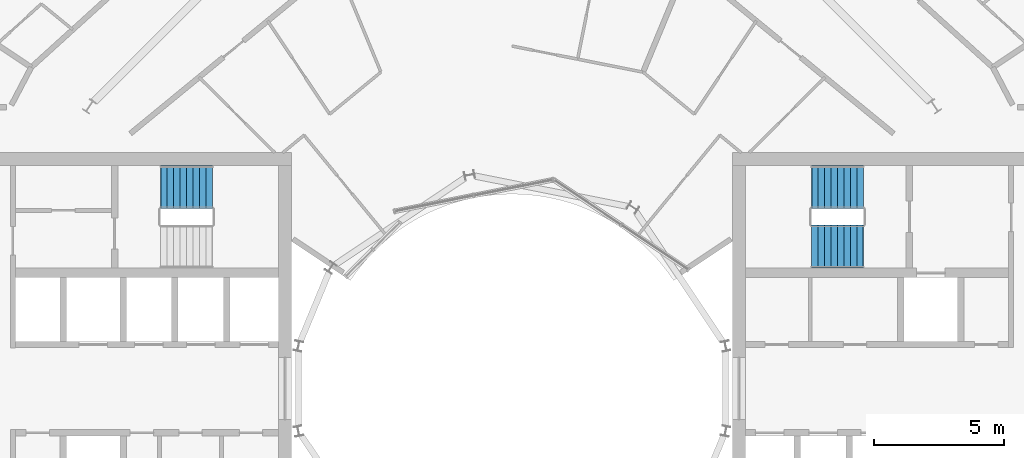
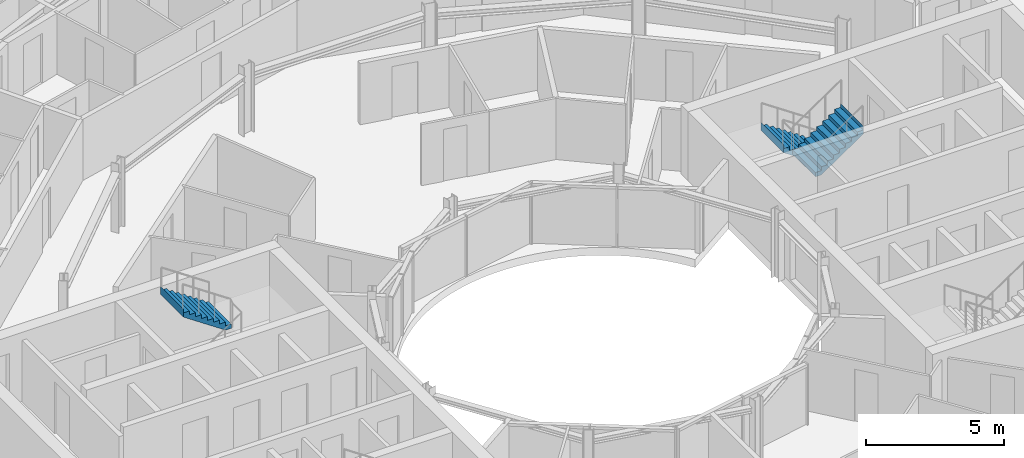
# One storey, part 25 of 26: 3 stair flights, 2 elements without a shape of their own.
"""IFC4 building model written with IfcOpenShell, lengths in metres."""

from ifc_helpers import new_model, si_unit, direction, frame, origin, place, context, subcontext, project, spatial, triangles, material, type_object, element, aggregate, save


model = new_model("IFC4")

# Units and contexts
model_context = context("Model", 3, precision=1e-05, world=origin(), true_north=direction((0.0, 1.0)))
body_context = subcontext(model_context, "Body", "Model", "MODEL_VIEW")
ifc_project = project(units=[si_unit("LENGTHUNIT", "METRE"), si_unit("AREAUNIT", "SQUARE_METRE"), si_unit("VOLUMEUNIT", "CUBIC_METRE"), si_unit("PLANEANGLEUNIT", "RADIAN"), si_unit("MASSUNIT", "GRAM", prefix="KILO")], contexts=[model_context])

# Site, building, storey
site_placement = place(None, origin())
site = spatial("IfcSite", under=ifc_project, at=site_placement, CompositionType="ELEMENT")
building_placement = place(site_placement, origin())
building = spatial("IfcBuilding", under=site, at=building_placement, Name="Maasbend Ring Residences", CompositionType="ELEMENT")
storey_placement = place(building_placement, frame((0.0, 0.0, 161.60009765625)))
storey = spatial("IfcBuildingStorey", under=building, at=storey_placement, Name="L46", CompositionType="ELEMENT", Elevation=161.60009765625)

# Stair, stair flights
ifc_material_1 = material(Name="Concrete C40/50", Category="concrete")
stair_type = type_object("IfcStairType", Name="CORE STAIR 18 RISERS", PredefinedType="HALF_TURN_STAIR", material=ifc_material_1)
stair_1_placement = place(storey_placement, origin())
stair_1 = element("IfcStair", 1, at=stair_1_placement, inside=storey, type_object=stair_type, Name="L46 Exit stair ST-E1", PredefinedType="HALF_TURN_STAIR")
ifc_material_2 = material(Name="Concrete C40/50", Category="concrete")
stair_flight_type = type_object("IfcStairFlightType", Name="CORE STAIR FLIGHT 1650", PredefinedType="STRAIGHT", material=ifc_material_2)
stair_flight_1_placement = place(storey_placement, frame((13.550048828125, 7.77490234375, 0.0), z_axis=(0.0, 0.0, 1.0), x_axis=(-1.0, 0.0, 0.0)))
stair_flight_1 = element("IfcStairFlight", 2, at=stair_flight_1_placement, type_object=stair_flight_type, Name="ST-E1 flight 1", NumberOfRisers=9, NumberOfTreads=8, PredefinedType="STRAIGHT", RiserHeight=0.169444444, TreadLength=0.25, context=body_context, shape_type="Tessellation", body=[
    triangles([(0.24072265625, 0.824951171875, -0.02001953125), (2.0029296875, 0.824951171875, 1.174560546875), (2.0029296875, 0.824951171875, 1.52490234375), (1.989990234375, 0.824951171875, 1.35546875), (1.75, 0.824951171875, 1.35546875), (1.75, 0.824951171875, 1.18603515625), (1.5, 0.824951171875, 1.18603515625), (1.5, 0.824951171875, 1.0166015625), (1.25, 0.824951171875, 1.0166015625), (1.25, 0.824951171875, 0.84716796875), (1.0, 0.824951171875, 0.84716796875), (1.0, 0.824951171875, 0.677734375), (0.75, 0.824951171875, 0.677734375), (0.75, 0.824951171875, 0.50830078125), (0.5, 0.824951171875, 0.50830078125), (0.5, 0.824951171875, 0.3388671875), (0.25, 0.824951171875, 0.3388671875), (0.25, 0.824951171875, 0.16943359375), (0.0, 0.824951171875, 0.16943359375), (0.0, 0.824951171875, 0.0), (-0.0029296875, 0.824951171875, 0.0), (-0.0029296875, 0.824951171875, -0.02001953125), (0.24072265625, 0.27490234375, -0.02001953125), (2.0029296875, 0.27490234375, 1.174560546875), (2.0029296875, 0.27490234375, 1.52490234375), (1.989990234375, 0.27490234375, 1.35546875), (1.75, 0.27490234375, 1.35546875), (1.75, 0.27490234375, 1.18603515625), (1.5, 0.27490234375, 1.18603515625), (1.5, 0.27490234375, 1.0166015625), (1.25, 0.27490234375, 1.0166015625), (1.25, 0.27490234375, 0.84716796875), (1.0, 0.27490234375, 0.84716796875), (1.0, 0.27490234375, 0.677734375), (0.75, 0.27490234375, 0.677734375), (0.75, 0.27490234375, 0.50830078125), (0.5, 0.27490234375, 0.50830078125), (0.5, 0.27490234375, 0.3388671875), (0.25, 0.27490234375, 0.3388671875), (0.25, 0.27490234375, 0.16943359375), (0.0, 0.27490234375, 0.16943359375), (0.0, 0.27490234375, 0.0), (-0.0029296875, 0.27490234375, 0.0), (-0.0029296875, 0.27490234375, -0.02001953125), (0.24072265625, -0.27490234375, -0.02001953125), (2.0029296875, -0.27490234375, 1.174560546875), (2.0029296875, -0.27490234375, 1.52490234375), (1.989990234375, -0.27490234375, 1.35546875), (1.75, -0.27490234375, 1.35546875), (1.75, -0.27490234375, 1.18603515625), (1.5, -0.27490234375, 1.18603515625), (1.5, -0.27490234375, 1.0166015625), (1.25, -0.27490234375, 1.0166015625), (1.25, -0.27490234375, 0.84716796875), (1.0, -0.27490234375, 0.84716796875), (1.0, -0.27490234375, 0.677734375), (0.75, -0.27490234375, 0.677734375), (0.75, -0.27490234375, 0.50830078125), (0.5, -0.27490234375, 0.50830078125), (0.5, -0.27490234375, 0.3388671875), (0.25, -0.27490234375, 0.3388671875), (0.25, -0.27490234375, 0.16943359375), (0.0, -0.27490234375, 0.16943359375), (0.0, -0.27490234375, 0.0), (-0.0029296875, -0.27490234375, 0.0), (-0.0029296875, -0.27490234375, -0.02001953125), (0.24072265625, -0.824951171875, -0.02001953125), (2.0029296875, -0.824951171875, 1.174560546875), (2.0029296875, -0.824951171875, 1.52490234375), (1.989990234375, -0.824951171875, 1.35546875), (1.75, -0.824951171875, 1.35546875), (1.75, -0.824951171875, 1.18603515625), (1.5, -0.824951171875, 1.18603515625), (1.5, -0.824951171875, 1.0166015625), (1.25, -0.824951171875, 1.0166015625), (1.25, -0.824951171875, 0.84716796875), (1.0, -0.824951171875, 0.84716796875), (1.0, -0.824951171875, 0.677734375), (0.75, -0.824951171875, 0.677734375), (0.75, -0.824951171875, 0.50830078125), (0.5, -0.824951171875, 0.50830078125), (0.5, -0.824951171875, 0.3388671875), (0.25, -0.824951171875, 0.3388671875), (0.25, -0.824951171875, 0.16943359375), (0.0, -0.824951171875, 0.16943359375), (0.0, -0.824951171875, 0.0), (-0.0029296875, -0.824951171875, 0.0), (-0.0029296875, -0.824951171875, -0.02001953125)], [[1, 2, 24], [1, 24, 23], [23, 24, 46], [23, 46, 45], [45, 46, 68], [45, 68, 67], [2, 3, 25], [2, 25, 24], [24, 25, 47], [24, 47, 46], [46, 47, 69], [46, 69, 68], [3, 4, 26], [3, 26, 25], [25, 26, 48], [25, 48, 47], [47, 48, 70], [47, 70, 69], [4, 5, 27], [4, 27, 26], [26, 27, 49], [26, 49, 48], [48, 49, 71], [48, 71, 70], [5, 6, 28], [5, 28, 27], [27, 28, 50], [27, 50, 49], [49, 50, 72], [49, 72, 71], [6, 7, 29], [6, 29, 28], [28, 29, 51], [28, 51, 50], [50, 51, 73], [50, 73, 72], [7, 8, 30], [7, 30, 29], [29, 30, 52], [29, 52, 51], [51, 52, 74], [51, 74, 73], [8, 9, 31], [8, 31, 30], [30, 31, 53], [30, 53, 52], [52, 53, 75], [52, 75, 74], [9, 10, 32], [9, 32, 31], [31, 32, 54], [31, 54, 53], [53, 54, 76], [53, 76, 75], [10, 11, 33], [10, 33, 32], [32, 33, 55], [32, 55, 54], [54, 55, 77], [54, 77, 76], [11, 12, 34], [11, 34, 33], [33, 34, 56], [33, 56, 55], [55, 56, 78], [55, 78, 77], [12, 13, 35], [12, 35, 34], [34, 35, 57], [34, 57, 56], [56, 57, 79], [56, 79, 78], [13, 14, 36], [13, 36, 35], [35, 36, 58], [35, 58, 57], [57, 58, 80], [57, 80, 79], [14, 15, 37], [14, 37, 36], [36, 37, 59], [36, 59, 58], [58, 59, 81], [58, 81, 80], [15, 16, 38], [15, 38, 37], [37, 38, 60], [37, 60, 59], [59, 60, 82], [59, 82, 81], [16, 17, 39], [16, 39, 38], [38, 39, 61], [38, 61, 60], [60, 61, 83], [60, 83, 82], [17, 18, 40], [17, 40, 39], [39, 40, 62], [39, 62, 61], [61, 62, 84], [61, 84, 83], [18, 19, 41], [18, 41, 40], [40, 41, 63], [40, 63, 62], [62, 63, 85], [62, 85, 84], [19, 20, 42], [19, 42, 41], [41, 42, 64], [41, 64, 63], [63, 64, 86], [63, 86, 85], [20, 21, 43], [20, 43, 42], [42, 43, 65], [42, 65, 64], [64, 65, 87], [64, 87, 86], [21, 22, 44], [21, 44, 43], [43, 44, 66], [43, 66, 65], [65, 66, 88], [65, 88, 87], [22, 1, 23], [22, 23, 44], [44, 23, 45], [44, 45, 66], [66, 45, 67], [66, 67, 88], [22, 2, 1], [2, 4, 3], [2, 5, 4], [2, 6, 5], [22, 6, 2], [6, 8, 7], [22, 8, 6], [8, 10, 9], [22, 10, 8], [10, 12, 11], [22, 12, 10], [12, 14, 13], [22, 14, 12], [14, 16, 15], [22, 16, 14], [16, 18, 17], [22, 18, 16], [18, 20, 19], [22, 20, 18], [20, 22, 21], [88, 67, 68], [68, 69, 70], [68, 70, 71], [68, 71, 72], [88, 68, 72], [72, 73, 74], [88, 72, 74], [74, 75, 76], [88, 74, 76], [76, 77, 78], [88, 76, 78], [78, 79, 80], [88, 78, 80], [80, 81, 82], [88, 80, 82], [82, 83, 84], [88, 82, 84], [84, 85, 86], [88, 84, 86], [86, 87, 88]], closed=True),
])
stair_flight_2_placement = place(storey_placement, frame((11.550048828125, 5.47509765625, 1.52490234375), z_axis=(0.0, 0.0, 1.0), x_axis=(1.0, 0.0, 0.0)))
stair_flight_2 = element("IfcStairFlight", 3, at=stair_flight_2_placement, type_object=stair_flight_type, Name="ST-E1 flight 2", NumberOfRisers=9, NumberOfTreads=8, PredefinedType="STRAIGHT", RiserHeight=0.169444444, TreadLength=0.25, context=body_context, shape_type="Tessellation", body=[
    triangles([(0.24072265625, 0.824951171875, -0.02001953125), (2.0029296875, 0.824951171875, 1.174560546875), (2.0029296875, 0.824951171875, 1.52490234375), (1.989990234375, 0.824951171875, 1.35546875), (1.75, 0.824951171875, 1.35546875), (1.75, 0.824951171875, 1.18603515625), (1.5, 0.824951171875, 1.18603515625), (1.5, 0.824951171875, 1.0166015625), (1.25, 0.824951171875, 1.0166015625), (1.25, 0.824951171875, 0.84716796875), (1.0, 0.824951171875, 0.84716796875), (1.0, 0.824951171875, 0.677734375), (0.75, 0.824951171875, 0.677734375), (0.75, 0.824951171875, 0.50830078125), (0.5, 0.824951171875, 0.50830078125), (0.5, 0.824951171875, 0.3388671875), (0.25, 0.824951171875, 0.3388671875), (0.25, 0.824951171875, 0.16943359375), (0.0, 0.824951171875, 0.16943359375), (0.0, 0.824951171875, 0.0), (-0.0029296875, 0.824951171875, 0.0), (-0.0029296875, 0.824951171875, -0.02001953125), (0.24072265625, 0.27490234375, -0.02001953125), (2.0029296875, 0.27490234375, 1.174560546875), (2.0029296875, 0.27490234375, 1.52490234375), (1.989990234375, 0.27490234375, 1.35546875), (1.75, 0.27490234375, 1.35546875), (1.75, 0.27490234375, 1.18603515625), (1.5, 0.27490234375, 1.18603515625), (1.5, 0.27490234375, 1.0166015625), (1.25, 0.27490234375, 1.0166015625), (1.25, 0.27490234375, 0.84716796875), (1.0, 0.27490234375, 0.84716796875), (1.0, 0.27490234375, 0.677734375), (0.75, 0.27490234375, 0.677734375), (0.75, 0.27490234375, 0.50830078125), (0.5, 0.27490234375, 0.50830078125), (0.5, 0.27490234375, 0.3388671875), (0.25, 0.27490234375, 0.3388671875), (0.25, 0.27490234375, 0.16943359375), (0.0, 0.27490234375, 0.16943359375), (0.0, 0.27490234375, 0.0), (-0.0029296875, 0.27490234375, 0.0), (-0.0029296875, 0.27490234375, -0.02001953125), (0.24072265625, -0.27490234375, -0.02001953125), (2.0029296875, -0.27490234375, 1.174560546875), (2.0029296875, -0.27490234375, 1.52490234375), (1.989990234375, -0.27490234375, 1.35546875), (1.75, -0.27490234375, 1.35546875), (1.75, -0.27490234375, 1.18603515625), (1.5, -0.27490234375, 1.18603515625), (1.5, -0.27490234375, 1.0166015625), (1.25, -0.27490234375, 1.0166015625), (1.25, -0.27490234375, 0.84716796875), (1.0, -0.27490234375, 0.84716796875), (1.0, -0.27490234375, 0.677734375), (0.75, -0.27490234375, 0.677734375), (0.75, -0.27490234375, 0.50830078125), (0.5, -0.27490234375, 0.50830078125), (0.5, -0.27490234375, 0.3388671875), (0.25, -0.27490234375, 0.3388671875), (0.25, -0.27490234375, 0.16943359375), (0.0, -0.27490234375, 0.16943359375), (0.0, -0.27490234375, 0.0), (-0.0029296875, -0.27490234375, 0.0), (-0.0029296875, -0.27490234375, -0.02001953125), (0.24072265625, -0.824951171875, -0.02001953125), (2.0029296875, -0.824951171875, 1.174560546875), (2.0029296875, -0.824951171875, 1.52490234375), (1.989990234375, -0.824951171875, 1.35546875), (1.75, -0.824951171875, 1.35546875), (1.75, -0.824951171875, 1.18603515625), (1.5, -0.824951171875, 1.18603515625), (1.5, -0.824951171875, 1.0166015625), (1.25, -0.824951171875, 1.0166015625), (1.25, -0.824951171875, 0.84716796875), (1.0, -0.824951171875, 0.84716796875), (1.0, -0.824951171875, 0.677734375), (0.75, -0.824951171875, 0.677734375), (0.75, -0.824951171875, 0.50830078125), (0.5, -0.824951171875, 0.50830078125), (0.5, -0.824951171875, 0.3388671875), (0.25, -0.824951171875, 0.3388671875), (0.25, -0.824951171875, 0.16943359375), (0.0, -0.824951171875, 0.16943359375), (0.0, -0.824951171875, 0.0), (-0.0029296875, -0.824951171875, 0.0), (-0.0029296875, -0.824951171875, -0.02001953125)], [[1, 2, 24], [1, 24, 23], [23, 24, 46], [23, 46, 45], [45, 46, 68], [45, 68, 67], [2, 3, 25], [2, 25, 24], [24, 25, 47], [24, 47, 46], [46, 47, 69], [46, 69, 68], [3, 4, 26], [3, 26, 25], [25, 26, 48], [25, 48, 47], [47, 48, 70], [47, 70, 69], [4, 5, 27], [4, 27, 26], [26, 27, 49], [26, 49, 48], [48, 49, 71], [48, 71, 70], [5, 6, 28], [5, 28, 27], [27, 28, 50], [27, 50, 49], [49, 50, 72], [49, 72, 71], [6, 7, 29], [6, 29, 28], [28, 29, 51], [28, 51, 50], [50, 51, 73], [50, 73, 72], [7, 8, 30], [7, 30, 29], [29, 30, 52], [29, 52, 51], [51, 52, 74], [51, 74, 73], [8, 9, 31], [8, 31, 30], [30, 31, 53], [30, 53, 52], [52, 53, 75], [52, 75, 74], [9, 10, 32], [9, 32, 31], [31, 32, 54], [31, 54, 53], [53, 54, 76], [53, 76, 75], [10, 11, 33], [10, 33, 32], [32, 33, 55], [32, 55, 54], [54, 55, 77], [54, 77, 76], [11, 12, 34], [11, 34, 33], [33, 34, 56], [33, 56, 55], [55, 56, 78], [55, 78, 77], [12, 13, 35], [12, 35, 34], [34, 35, 57], [34, 57, 56], [56, 57, 79], [56, 79, 78], [13, 14, 36], [13, 36, 35], [35, 36, 58], [35, 58, 57], [57, 58, 80], [57, 80, 79], [14, 15, 37], [14, 37, 36], [36, 37, 59], [36, 59, 58], [58, 59, 81], [58, 81, 80], [15, 16, 38], [15, 38, 37], [37, 38, 60], [37, 60, 59], [59, 60, 82], [59, 82, 81], [16, 17, 39], [16, 39, 38], [38, 39, 61], [38, 61, 60], [60, 61, 83], [60, 83, 82], [17, 18, 40], [17, 40, 39], [39, 40, 62], [39, 62, 61], [61, 62, 84], [61, 84, 83], [18, 19, 41], [18, 41, 40], [40, 41, 63], [40, 63, 62], [62, 63, 85], [62, 85, 84], [19, 20, 42], [19, 42, 41], [41, 42, 64], [41, 64, 63], [63, 64, 86], [63, 86, 85], [20, 21, 43], [20, 43, 42], [42, 43, 65], [42, 65, 64], [64, 65, 87], [64, 87, 86], [21, 22, 44], [21, 44, 43], [43, 44, 66], [43, 66, 65], [65, 66, 88], [65, 88, 87], [22, 1, 23], [22, 23, 44], [44, 23, 45], [44, 45, 66], [66, 45, 67], [66, 67, 88], [22, 2, 1], [2, 4, 3], [2, 5, 4], [2, 6, 5], [22, 6, 2], [6, 8, 7], [22, 8, 6], [8, 10, 9], [22, 10, 8], [10, 12, 11], [22, 12, 10], [12, 14, 13], [22, 14, 12], [14, 16, 15], [22, 16, 14], [16, 18, 17], [22, 18, 16], [18, 20, 19], [22, 20, 18], [20, 22, 21], [88, 67, 68], [68, 69, 70], [68, 70, 71], [68, 71, 72], [88, 68, 72], [72, 73, 74], [88, 72, 74], [74, 75, 76], [88, 74, 76], [76, 77, 78], [88, 76, 78], [78, 79, 80], [88, 78, 80], [80, 81, 82], [88, 80, 82], [82, 83, 84], [88, 82, 84], [84, 85, 86], [88, 84, 86], [86, 87, 88]], closed=True),
])
aggregate(stair_1, [stair_flight_1, stair_flight_2])

# Stair, stair flight
stair_2_placement = place(storey_placement, origin())
stair_2 = element("IfcStair", 4, at=stair_2_placement, inside=storey, type_object=stair_type, Name="L46 Exit stair ST-W2", PredefinedType="HALF_TURN_STAIR")
stair_flight_3_placement = place(storey_placement, frame((-11.550048828125, 7.77490234375, 1.52490234375), z_axis=(0.0, 0.0, 1.0), x_axis=(-1.0, 0.0, 0.0)))
stair_flight_3 = element("IfcStairFlight", 5, at=stair_flight_3_placement, type_object=stair_flight_type, Name="ST-W2 flight 2", NumberOfRisers=9, NumberOfTreads=8, PredefinedType="STRAIGHT", RiserHeight=0.169444444, TreadLength=0.25, context=body_context, shape_type="Tessellation", body=[
    triangles([(0.24072265625, 0.824951171875, -0.02001953125), (2.0029296875, 0.824951171875, 1.174560546875), (2.0029296875, 0.824951171875, 1.52490234375), (1.989990234375, 0.824951171875, 1.35546875), (1.75, 0.824951171875, 1.35546875), (1.75, 0.824951171875, 1.18603515625), (1.5, 0.824951171875, 1.18603515625), (1.5, 0.824951171875, 1.0166015625), (1.25, 0.824951171875, 1.0166015625), (1.25, 0.824951171875, 0.84716796875), (1.0, 0.824951171875, 0.84716796875), (1.0, 0.824951171875, 0.677734375), (0.75, 0.824951171875, 0.677734375), (0.75, 0.824951171875, 0.50830078125), (0.5, 0.824951171875, 0.50830078125), (0.5, 0.824951171875, 0.3388671875), (0.25, 0.824951171875, 0.3388671875), (0.25, 0.824951171875, 0.16943359375), (0.0, 0.824951171875, 0.16943359375), (0.0, 0.824951171875, 0.0), (-0.0029296875, 0.824951171875, 0.0), (-0.0029296875, 0.824951171875, -0.02001953125), (0.24072265625, 0.27490234375, -0.02001953125), (2.0029296875, 0.27490234375, 1.174560546875), (2.0029296875, 0.27490234375, 1.52490234375), (1.989990234375, 0.27490234375, 1.35546875), (1.75, 0.27490234375, 1.35546875), (1.75, 0.27490234375, 1.18603515625), (1.5, 0.27490234375, 1.18603515625), (1.5, 0.27490234375, 1.0166015625), (1.25, 0.27490234375, 1.0166015625), (1.25, 0.27490234375, 0.84716796875), (1.0, 0.27490234375, 0.84716796875), (1.0, 0.27490234375, 0.677734375), (0.75, 0.27490234375, 0.677734375), (0.75, 0.27490234375, 0.50830078125), (0.5, 0.27490234375, 0.50830078125), (0.5, 0.27490234375, 0.3388671875), (0.25, 0.27490234375, 0.3388671875), (0.25, 0.27490234375, 0.16943359375), (0.0, 0.27490234375, 0.16943359375), (0.0, 0.27490234375, 0.0), (-0.0029296875, 0.27490234375, 0.0), (-0.0029296875, 0.27490234375, -0.02001953125), (0.24072265625, -0.27490234375, -0.02001953125), (2.0029296875, -0.27490234375, 1.174560546875), (2.0029296875, -0.27490234375, 1.52490234375), (1.989990234375, -0.27490234375, 1.35546875), (1.75, -0.27490234375, 1.35546875), (1.75, -0.27490234375, 1.18603515625), (1.5, -0.27490234375, 1.18603515625), (1.5, -0.27490234375, 1.0166015625), (1.25, -0.27490234375, 1.0166015625), (1.25, -0.27490234375, 0.84716796875), (1.0, -0.27490234375, 0.84716796875), (1.0, -0.27490234375, 0.677734375), (0.75, -0.27490234375, 0.677734375), (0.75, -0.27490234375, 0.50830078125), (0.5, -0.27490234375, 0.50830078125), (0.5, -0.27490234375, 0.3388671875), (0.25, -0.27490234375, 0.3388671875), (0.25, -0.27490234375, 0.16943359375), (0.0, -0.27490234375, 0.16943359375), (0.0, -0.27490234375, 0.0), (-0.0029296875, -0.27490234375, 0.0), (-0.0029296875, -0.27490234375, -0.02001953125), (0.24072265625, -0.824951171875, -0.02001953125), (2.0029296875, -0.824951171875, 1.174560546875), (2.0029296875, -0.824951171875, 1.52490234375), (1.989990234375, -0.824951171875, 1.35546875), (1.75, -0.824951171875, 1.35546875), (1.75, -0.824951171875, 1.18603515625), (1.5, -0.824951171875, 1.18603515625), (1.5, -0.824951171875, 1.0166015625), (1.25, -0.824951171875, 1.0166015625), (1.25, -0.824951171875, 0.84716796875), (1.0, -0.824951171875, 0.84716796875), (1.0, -0.824951171875, 0.677734375), (0.75, -0.824951171875, 0.677734375), (0.75, -0.824951171875, 0.50830078125), (0.5, -0.824951171875, 0.50830078125), (0.5, -0.824951171875, 0.3388671875), (0.25, -0.824951171875, 0.3388671875), (0.25, -0.824951171875, 0.16943359375), (0.0, -0.824951171875, 0.16943359375), (0.0, -0.824951171875, 0.0), (-0.0029296875, -0.824951171875, 0.0), (-0.0029296875, -0.824951171875, -0.02001953125)], [[1, 2, 24], [1, 24, 23], [23, 24, 46], [23, 46, 45], [45, 46, 68], [45, 68, 67], [2, 3, 25], [2, 25, 24], [24, 25, 47], [24, 47, 46], [46, 47, 69], [46, 69, 68], [3, 4, 26], [3, 26, 25], [25, 26, 48], [25, 48, 47], [47, 48, 70], [47, 70, 69], [4, 5, 27], [4, 27, 26], [26, 27, 49], [26, 49, 48], [48, 49, 71], [48, 71, 70], [5, 6, 28], [5, 28, 27], [27, 28, 50], [27, 50, 49], [49, 50, 72], [49, 72, 71], [6, 7, 29], [6, 29, 28], [28, 29, 51], [28, 51, 50], [50, 51, 73], [50, 73, 72], [7, 8, 30], [7, 30, 29], [29, 30, 52], [29, 52, 51], [51, 52, 74], [51, 74, 73], [8, 9, 31], [8, 31, 30], [30, 31, 53], [30, 53, 52], [52, 53, 75], [52, 75, 74], [9, 10, 32], [9, 32, 31], [31, 32, 54], [31, 54, 53], [53, 54, 76], [53, 76, 75], [10, 11, 33], [10, 33, 32], [32, 33, 55], [32, 55, 54], [54, 55, 77], [54, 77, 76], [11, 12, 34], [11, 34, 33], [33, 34, 56], [33, 56, 55], [55, 56, 78], [55, 78, 77], [12, 13, 35], [12, 35, 34], [34, 35, 57], [34, 57, 56], [56, 57, 79], [56, 79, 78], [13, 14, 36], [13, 36, 35], [35, 36, 58], [35, 58, 57], [57, 58, 80], [57, 80, 79], [14, 15, 37], [14, 37, 36], [36, 37, 59], [36, 59, 58], [58, 59, 81], [58, 81, 80], [15, 16, 38], [15, 38, 37], [37, 38, 60], [37, 60, 59], [59, 60, 82], [59, 82, 81], [16, 17, 39], [16, 39, 38], [38, 39, 61], [38, 61, 60], [60, 61, 83], [60, 83, 82], [17, 18, 40], [17, 40, 39], [39, 40, 62], [39, 62, 61], [61, 62, 84], [61, 84, 83], [18, 19, 41], [18, 41, 40], [40, 41, 63], [40, 63, 62], [62, 63, 85], [62, 85, 84], [19, 20, 42], [19, 42, 41], [41, 42, 64], [41, 64, 63], [63, 64, 86], [63, 86, 85], [20, 21, 43], [20, 43, 42], [42, 43, 65], [42, 65, 64], [64, 65, 87], [64, 87, 86], [21, 22, 44], [21, 44, 43], [43, 44, 66], [43, 66, 65], [65, 66, 88], [65, 88, 87], [22, 1, 23], [22, 23, 44], [44, 23, 45], [44, 45, 66], [66, 45, 67], [66, 67, 88], [22, 2, 1], [2, 4, 3], [2, 5, 4], [2, 6, 5], [22, 6, 2], [6, 8, 7], [22, 8, 6], [8, 10, 9], [22, 10, 8], [10, 12, 11], [22, 12, 10], [12, 14, 13], [22, 14, 12], [14, 16, 15], [22, 16, 14], [16, 18, 17], [22, 18, 16], [18, 20, 19], [22, 20, 18], [20, 22, 21], [88, 67, 68], [68, 69, 70], [68, 70, 71], [68, 71, 72], [88, 68, 72], [72, 73, 74], [88, 72, 74], [74, 75, 76], [88, 74, 76], [76, 77, 78], [88, 76, 78], [78, 79, 80], [88, 78, 80], [80, 81, 82], [88, 80, 82], [82, 83, 84], [88, 82, 84], [84, 85, 86], [88, 84, 86], [86, 87, 88]], closed=True),
])
aggregate(stair_2, [stair_flight_3])

save(model, "model.ifc")
